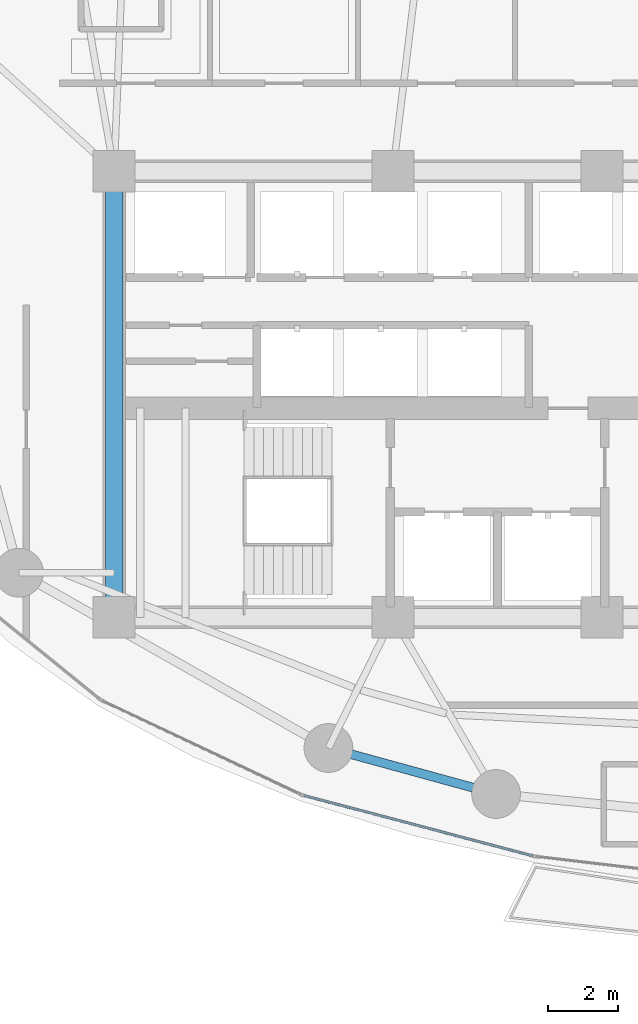
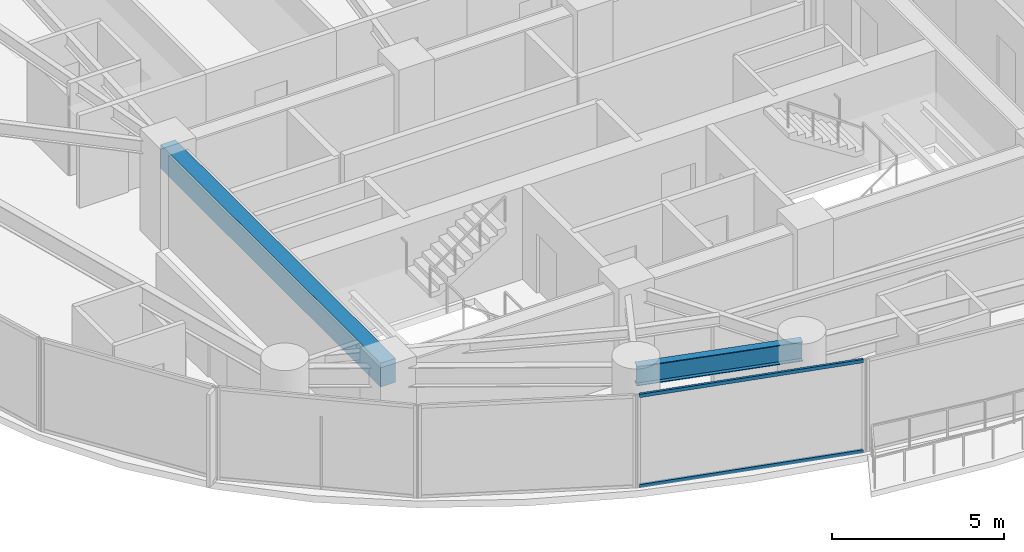
# One storey, part 4 of 30: 2 beams, 2 members, 1 element without a shape of its own.
"""IFC4 building model written with IfcOpenShell, lengths in metres."""

from ifc_helpers import new_model, si_unit, direction, frame, origin, origin_2d, place, context, subcontext, project, spatial, rectangle, hollow_rectangle, i_section, extrude, material, layer, layer_set, material_profile, profile_set, type_object, element, aggregate, save


model = new_model("IFC4")

# Units and contexts
model_context = context("Model", 3, precision=1e-05, world=origin(), true_north=direction((0.0, 1.0)))
body_context = subcontext(model_context, "Body", "Model", "MODEL_VIEW")
ifc_project = project(units=[si_unit("LENGTHUNIT", "METRE"), si_unit("AREAUNIT", "SQUARE_METRE"), si_unit("VOLUMEUNIT", "CUBIC_METRE"), si_unit("PLANEANGLEUNIT", "RADIAN"), si_unit("MASSUNIT", "GRAM", prefix="KILO")], contexts=[model_context])

# Site, building, storey
site_placement = place(None, origin())
site = spatial("IfcSite", under=ifc_project, at=site_placement, CompositionType="ELEMENT")
building_placement = place(site_placement, origin())
building = spatial("IfcBuilding", under=site, at=building_placement, Name="Kazevale Care Tower and Concert Hall", CompositionType="ELEMENT")
storey_placement = place(building_placement, frame((0.0, 0.0, 88.800048828125)))
storey = spatial("IfcBuildingStorey", under=building, at=storey_placement, Name="L23", CompositionType="ELEMENT", Elevation=88.800048828125)

# Curtain wall, members
ifc_material_1 = material(Name="Aluminium 6063-T6 and Low-E Glass", Category="aluminium")
ifc_layer = layer(ifc_material_1, 0.179931640625)
ifc_layer_set = layer_set([ifc_layer], Name="Aluminium 6063-T6 and Low-E Glass")
curtain_wall_type = type_object("IfcCurtainWallType", Name="Sheltered Concave Balcony Curtain Wall CW-5", PredefinedType="NOTDEFINED", material=ifc_layer_set)
curtain_wall_placement = place(storey_placement, origin())
curtain_wall = element("IfcCurtainWall", 1, at=curtain_wall_placement, inside=storey, type_object=curtain_wall_type, Name="cw:L23:f08", PredefinedType="NOTDEFINED")
ifc_material_2 = material(Name="Aluminium 6063-T6", Category="aluminium")
ifc_material_profile_1 = material_profile(ifc_material_2, hollow_rectangle(XDim=0.074951171875, YDim=0.1201171875, WallThickness=0.00390625, at=origin_2d()), Name="ALU75x120x4")
ifc_profile_set_1 = profile_set([ifc_material_profile_1], Name="Aluminium 6063-T6")
member_type = type_object("IfcMemberType", Name="CW-5 Transom ALU75x120x4", PredefinedType="USERDEFINED", material=ifc_profile_set_1)
member_1_placement = place(storey_placement, frame((33.995361328125, 16.760009765625, 0.037353515625), z_axis=(-0.966978405759, 0.254858319064, 0.0), x_axis=(-0.254858319064, -0.966978405759, 0.0)))
member_1 = element("IfcMember", 2, at=member_1_placement, type_object=member_type, Name="CW-5 transom 1.1", ObjectType="TRANSOM", PredefinedType="USERDEFINED", context=body_context, shape_type="SweptSolid", body=[
    extrude(hollow_rectangle(XDim=0.074951171875, YDim=0.1201171875, WallThickness=0.00390625, at=origin_2d()), origin(), (0.0, 0.0, 1.0), 6.748779296875),
])
member_2_placement = place(storey_placement, frame((33.995361328125, 16.760009765625, 3.242431640625), z_axis=(-0.966978405759, 0.254858319064, 0.0), x_axis=(-0.254858319064, -0.966978405759, 0.0)))
member_2 = element("IfcMember", 3, at=member_2_placement, type_object=member_type, Name="CW-5 transom 1.2", ObjectType="TRANSOM", PredefinedType="USERDEFINED", context=body_context, shape_type="SweptSolid", body=[
    extrude(hollow_rectangle(XDim=0.074951171875, YDim=0.1201171875, WallThickness=0.00390625, at=origin_2d()), origin(), (0.0, 0.0, 1.0), 6.748779296875),
])
aggregate(curtain_wall, [member_1, member_2])

# Beams
ifc_material_3 = material(Name="Concrete C60", Category="concrete")
ifc_material_profile_2 = material_profile(ifc_material_3, rectangle(XDim=0.5, YDim=0.85009765625, at=origin_2d()), Name="RC-B500x850")
ifc_profile_set_2 = profile_set([ifc_material_profile_2], Name="Concrete C60")
beam_type_1 = type_object("IfcBeamType", Name="Core Coupling Beam RC500x850", PredefinedType="LINTEL", material=ifc_profile_set_2)
beam_1_placement = place(storey_placement, frame((22.0, 36.39990234375, 2.85498046875), z_axis=(0.0, -1.0, 0.0), x_axis=(1.0, 0.0, 0.0)))
element("IfcBeam", 4, at=beam_1_placement, inside=storey, type_object=beam_type_1, Name="beam:L23:coretie:8", PredefinedType="LINTEL", context=body_context, shape_type="SweptSolid", body=[
    extrude(rectangle(XDim=0.5, YDim=0.85009765625, at=origin_2d()), origin(), (0.0, 0.0, 1.0), 12.7998046875),
])
ifc_material_4 = material(Name="Steel ASTM A572 Gr 50", Category="steel")
ifc_material_profile_3 = material_profile(ifc_material_4, i_section(OverallWidth=0.256103515625, OverallDepth=0.693115234375, WebThickness=0.014404296875, FlangeThickness=0.023681640625, at=origin_2d()), Name="W690x170")
ifc_profile_set_3 = profile_set([ifc_material_profile_3], Name="Steel ASTM A572 Gr 50")
beam_type_2 = type_object("IfcBeamType", Name="Waist Ring Beam W690x170", PredefinedType="BEAM", material=ifc_profile_set_3)
beam_2_placement = place(storey_placement, frame((28.14990234375, 19.85009765625, 2.933349609375), z_axis=(0.964343540473, -0.264653615031, 0.0), x_axis=(0.264653615031, 0.964343540473, 0.0)))
element("IfcBeam", 5, at=beam_2_placement, inside=storey, type_object=beam_type_2, Name="beam:L23:ring:11", PredefinedType="BEAM", context=body_context, shape_type="SweptSolid", body=[
    extrude(i_section(OverallWidth=0.256103515625, OverallDepth=0.693115234375, WebThickness=0.014404296875, FlangeThickness=0.023681640625, at=origin_2d()), origin(), (0.0, 0.0, 1.0), 4.98779296875),
])

save(model, "model.ifc")
